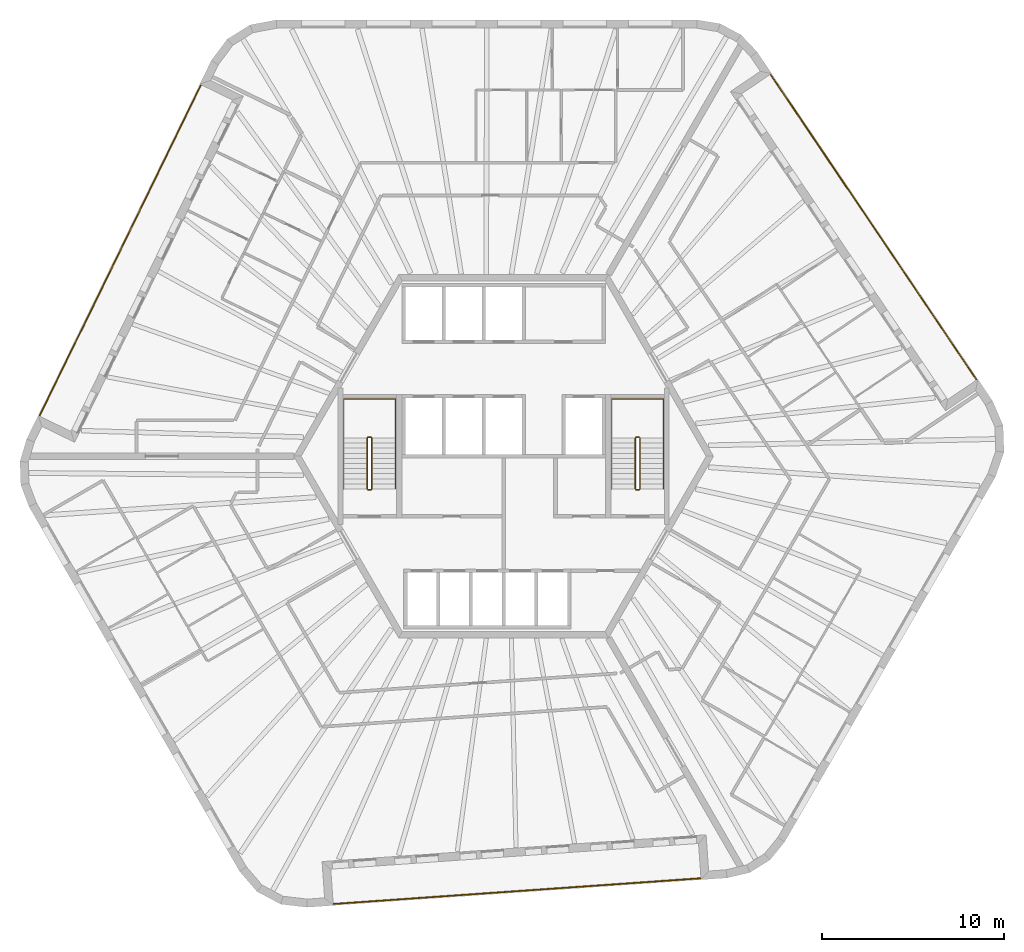
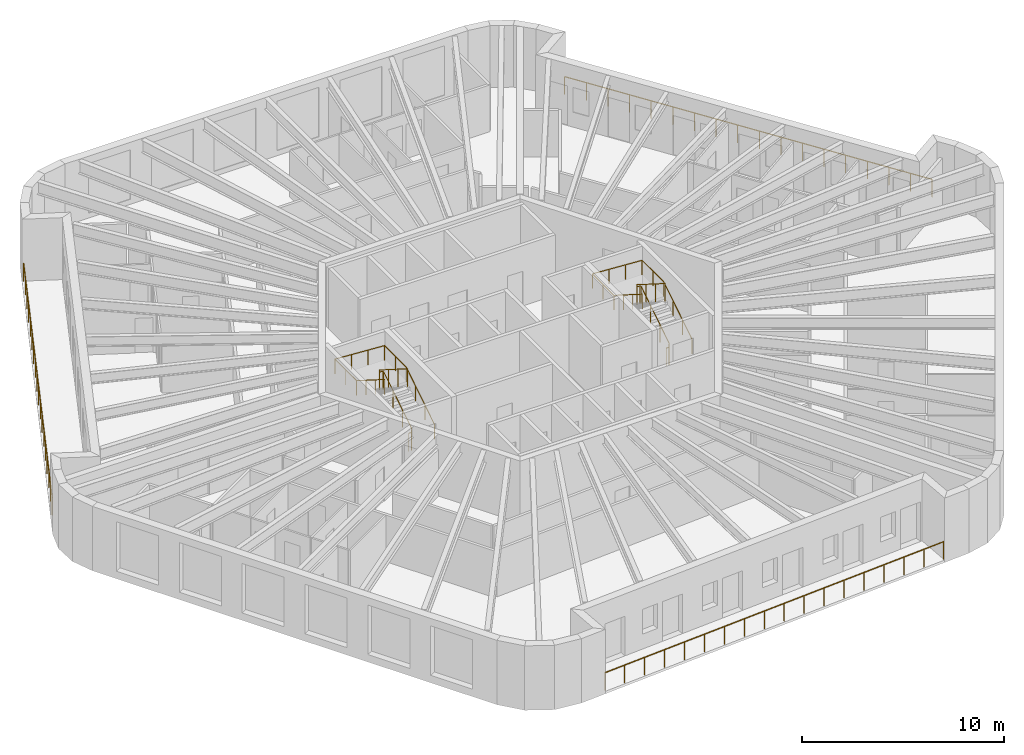
# One storey, part 11 of 11: 7 railings.
"""IFC4 building model written with IfcOpenShell, lengths in metres."""

from ifc_helpers import new_model, si_unit, direction, frame, origin, origin_2d, place, context, subcontext, project, spatial, circle, extrude, material, type_object, element, save


model = new_model("IFC4")

# Units and contexts
model_context = context("Model", 3, precision=1e-05, world=origin(), true_north=direction((0.0, 1.0)))
body_context = subcontext(model_context, "Body", "Model", "MODEL_VIEW")
ifc_project = project(units=[si_unit("LENGTHUNIT", "METRE"), si_unit("AREAUNIT", "SQUARE_METRE"), si_unit("VOLUMEUNIT", "CUBIC_METRE"), si_unit("PLANEANGLEUNIT", "RADIAN"), si_unit("MASSUNIT", "GRAM", prefix="KILO")], contexts=[model_context])

# Site, building, storey
site_placement = place(None, origin())
site = spatial("IfcSite", under=ifc_project, at=site_placement, CompositionType="ELEMENT")
building_placement = place(site_placement, origin())
building = spatial("IfcBuilding", under=site, at=building_placement, Name="Tarnside Tower", CompositionType="ELEMENT")
storey_placement = place(building_placement, frame((0.0, 0.0, 353.39990234375)))
storey = spatial("IfcBuildingStorey", under=building, at=storey_placement, Name="L85", CompositionType="ELEMENT", Elevation=353.39990234375)

# Railings
ifc_material_1 = material(Name="Toughened glass", Category="glass")
railing_type_1 = type_object("IfcRailingType", Name="Glass guard 1100", PredefinedType="GUARDRAIL", material=ifc_material_1)
railing_1_placement = place(storey_placement, frame((-16.645263671875, 20.437744140625, 0.0)))
element("IfcRailing", 1, at=railing_1_placement, inside=storey, type_object=railing_type_1, Name="Loggia guard L85 F2", PredefinedType="GUARDRAIL", context=body_context, shape_type="SweptSolid", body=[
    extrude(circle(Radius=0.030029296875, at=origin_2d()), frame((0.0, 0.0, 1.070068359375), z_axis=(-0.438370743641, -0.898794242928, 0.0), x_axis=(0.898794242928, -0.438370743641, 0.0)), (0.0, 0.0, 1.0), 20.28173828125),
    extrude(circle(Radius=0.02490234375, at=origin_2d()), origin(), (0.0, 0.0, 1.0), 1.0400390625),
    extrude(circle(Radius=0.02490234375, at=origin_2d()), frame((-0.52294921875, -1.072265625, 0.0)), (0.0, 0.0, 1.0), 1.0400390625),
    extrude(circle(Radius=0.02490234375, at=origin_2d()), frame((-1.0458984375, -2.14453125, 0.0)), (0.0, 0.0, 1.0), 1.0400390625),
    extrude(circle(Radius=0.02490234375, at=origin_2d()), frame((-1.569091796875, -3.216796875, 0.0)), (0.0, 0.0, 1.0), 1.0400390625),
    extrude(circle(Radius=0.02490234375, at=origin_2d()), frame((-2.092041015625, -4.2890625, 0.0)), (0.0, 0.0, 1.0), 1.0400390625),
    extrude(circle(Radius=0.02490234375, at=origin_2d()), frame((-2.614990234375, -5.361572265625, 0.0)), (0.0, 0.0, 1.0), 1.0400390625),
    extrude(circle(Radius=0.02490234375, at=origin_2d()), frame((-3.137939453125, -6.433837890625, 0.0)), (0.0, 0.0, 1.0), 1.0400390625),
    extrude(circle(Radius=0.02490234375, at=origin_2d()), frame((-3.660888671875, -7.506103515625, 0.0)), (0.0, 0.0, 1.0), 1.0400390625),
    extrude(circle(Radius=0.02490234375, at=origin_2d()), frame((-4.183837890625, -8.578369140625, 0.0)), (0.0, 0.0, 1.0), 1.0400390625),
    extrude(circle(Radius=0.02490234375, at=origin_2d()), frame((-4.70703125, -9.650634765625, 0.0)), (0.0, 0.0, 1.0), 1.0400390625),
    extrude(circle(Radius=0.02490234375, at=origin_2d()), frame((-5.22998046875, -10.722900390625, 0.0)), (0.0, 0.0, 1.0), 1.0400390625),
    extrude(circle(Radius=0.02490234375, at=origin_2d()), frame((-5.7529296875, -11.795166015625, 0.0)), (0.0, 0.0, 1.0), 1.0400390625),
    extrude(circle(Radius=0.02490234375, at=origin_2d()), frame((-6.27587890625, -12.867431640625, 0.0)), (0.0, 0.0, 1.0), 1.0400390625),
    extrude(circle(Radius=0.02490234375, at=origin_2d()), frame((-6.798828125, -13.93994140625, 0.0)), (0.0, 0.0, 1.0), 1.0400390625),
    extrude(circle(Radius=0.02490234375, at=origin_2d()), frame((-7.32177734375, -15.01220703125, 0.0)), (0.0, 0.0, 1.0), 1.0400390625),
    extrude(circle(Radius=0.02490234375, at=origin_2d()), frame((-7.844970703125, -16.08447265625, 0.0)), (0.0, 0.0, 1.0), 1.0400390625),
    extrude(circle(Radius=0.02490234375, at=origin_2d()), frame((-8.367919921875, -17.15673828125, 0.0)), (0.0, 0.0, 1.0), 1.0400390625),
    extrude(circle(Radius=0.02490234375, at=origin_2d()), frame((-8.890869140625, -18.22900390625, 0.0)), (0.0, 0.0, 1.0), 1.0400390625),
])
railing_2_placement = place(storey_placement, frame((-9.376953125, -24.634033203125, 0.0)))
element("IfcRailing", 2, at=railing_2_placement, inside=storey, type_object=railing_type_1, Name="Loggia guard L85 F4", PredefinedType="GUARDRAIL", context=body_context, shape_type="SweptSolid", body=[
    extrude(circle(Radius=0.030029296875, at=origin_2d()), frame((0.0, 0.0, 1.070068359375), z_axis=(0.997563970542, 0.069757613753, 0.0), x_axis=(-0.069757613753, 0.997563970542, 0.0)), (0.0, 0.0, 1.0), 20.281494140625),
    extrude(circle(Radius=0.02490234375, at=origin_2d()), origin(), (0.0, 0.0, 1.0), 1.0400390625),
    extrude(circle(Radius=0.02490234375, at=origin_2d()), frame((1.190185546875, 0.083251953125, 0.0)), (0.0, 0.0, 1.0), 1.0400390625),
    extrude(circle(Radius=0.02490234375, at=origin_2d()), frame((2.38037109375, 0.16650390625, 0.0)), (0.0, 0.0, 1.0), 1.0400390625),
    extrude(circle(Radius=0.02490234375, at=origin_2d()), frame((3.5703125, 0.249755859375, 0.0)), (0.0, 0.0, 1.0), 1.0400390625),
    extrude(circle(Radius=0.02490234375, at=origin_2d()), frame((4.760498046875, 0.3330078125, 0.0)), (0.0, 0.0, 1.0), 1.0400390625),
    extrude(circle(Radius=0.02490234375, at=origin_2d()), frame((5.95068359375, 0.416015625, 0.0)), (0.0, 0.0, 1.0), 1.0400390625),
    extrude(circle(Radius=0.02490234375, at=origin_2d()), frame((7.140869140625, 0.499267578125, 0.0)), (0.0, 0.0, 1.0), 1.0400390625),
    extrude(circle(Radius=0.02490234375, at=origin_2d()), frame((8.330810546875, 0.58251953125, 0.0)), (0.0, 0.0, 1.0), 1.0400390625),
    extrude(circle(Radius=0.02490234375, at=origin_2d()), frame((9.52099609375, 0.665771484375, 0.0)), (0.0, 0.0, 1.0), 1.0400390625),
    extrude(circle(Radius=0.02490234375, at=origin_2d()), frame((10.711181640625, 0.7490234375, 0.0)), (0.0, 0.0, 1.0), 1.0400390625),
    extrude(circle(Radius=0.02490234375, at=origin_2d()), frame((11.9013671875, 0.832275390625, 0.0)), (0.0, 0.0, 1.0), 1.0400390625),
    extrude(circle(Radius=0.02490234375, at=origin_2d()), frame((13.09130859375, 0.91552734375, 0.0)), (0.0, 0.0, 1.0), 1.0400390625),
    extrude(circle(Radius=0.02490234375, at=origin_2d()), frame((14.281494140625, 0.998779296875, 0.0)), (0.0, 0.0, 1.0), 1.0400390625),
    extrude(circle(Radius=0.02490234375, at=origin_2d()), frame((15.4716796875, 1.081787109375, 0.0)), (0.0, 0.0, 1.0), 1.0400390625),
    extrude(circle(Radius=0.02490234375, at=origin_2d()), frame((16.661865234375, 1.1650390625, 0.0)), (0.0, 0.0, 1.0), 1.0400390625),
    extrude(circle(Radius=0.02490234375, at=origin_2d()), frame((17.851806640625, 1.248291015625, 0.0)), (0.0, 0.0, 1.0), 1.0400390625),
    extrude(circle(Radius=0.02490234375, at=origin_2d()), frame((19.0419921875, 1.33154296875, 0.0)), (0.0, 0.0, 1.0), 1.0400390625),
    extrude(circle(Radius=0.02490234375, at=origin_2d()), frame((20.232177734375, 1.414794921875, 0.0)), (0.0, 0.0, 1.0), 1.0400390625),
])
railing_3_placement = place(storey_placement, frame((26.022216796875, 4.196533203125, 0.0)))
element("IfcRailing", 3, at=railing_3_placement, inside=storey, type_object=railing_type_1, Name="Loggia guard L85 F6", PredefinedType="GUARDRAIL", context=body_context, shape_type="SweptSolid", body=[
    extrude(circle(Radius=0.030029296875, at=origin_2d()), frame((0.0, 0.0, 1.070068359375), z_axis=(-0.559192274164, 0.829037997028, 0.0), x_axis=(-0.829037997028, -0.559192274164, 0.0)), (0.0, 0.0, 1.0), 20.281494140625),
    extrude(circle(Radius=0.02490234375, at=origin_2d()), origin(), (0.0, 0.0, 1.0), 1.0400390625),
    extrude(circle(Radius=0.02490234375, at=origin_2d()), frame((-0.667236328125, 0.989013671875, 0.0)), (0.0, 0.0, 1.0), 1.0400390625),
    extrude(circle(Radius=0.02490234375, at=origin_2d()), frame((-1.334228515625, 1.97802734375, 0.0)), (0.0, 0.0, 1.0), 1.0400390625),
    extrude(circle(Radius=0.02490234375, at=origin_2d()), frame((-2.00146484375, 2.96728515625, 0.0)), (0.0, 0.0, 1.0), 1.0400390625),
    extrude(circle(Radius=0.02490234375, at=origin_2d()), frame((-2.66845703125, 3.956298828125, 0.0)), (0.0, 0.0, 1.0), 1.0400390625),
    extrude(circle(Radius=0.02490234375, at=origin_2d()), frame((-3.335693359375, 4.9453125, 0.0)), (0.0, 0.0, 1.0), 1.0400390625),
    extrude(circle(Radius=0.02490234375, at=origin_2d()), frame((-4.0029296875, 5.934326171875, 0.0)), (0.0, 0.0, 1.0), 1.0400390625),
    extrude(circle(Radius=0.02490234375, at=origin_2d()), frame((-4.669921875, 6.923583984375, 0.0)), (0.0, 0.0, 1.0), 1.0400390625),
    extrude(circle(Radius=0.02490234375, at=origin_2d()), frame((-5.337158203125, 7.91259765625, 0.0)), (0.0, 0.0, 1.0), 1.0400390625),
    extrude(circle(Radius=0.02490234375, at=origin_2d()), frame((-6.004150390625, 8.901611328125, 0.0)), (0.0, 0.0, 1.0), 1.0400390625),
    extrude(circle(Radius=0.02490234375, at=origin_2d()), frame((-6.67138671875, 9.890625, 0.0)), (0.0, 0.0, 1.0), 1.0400390625),
    extrude(circle(Radius=0.02490234375, at=origin_2d()), frame((-7.33837890625, 10.8798828125, 0.0)), (0.0, 0.0, 1.0), 1.0400390625),
    extrude(circle(Radius=0.02490234375, at=origin_2d()), frame((-8.005615234375, 11.868896484375, 0.0)), (0.0, 0.0, 1.0), 1.0400390625),
    extrude(circle(Radius=0.02490234375, at=origin_2d()), frame((-8.6728515625, 12.85791015625, 0.0)), (0.0, 0.0, 1.0), 1.0400390625),
    extrude(circle(Radius=0.02490234375, at=origin_2d()), frame((-9.33984375, 13.846923828125, 0.0)), (0.0, 0.0, 1.0), 1.0400390625),
    extrude(circle(Radius=0.02490234375, at=origin_2d()), frame((-10.007080078125, 14.836181640625, 0.0)), (0.0, 0.0, 1.0), 1.0400390625),
    extrude(circle(Radius=0.02490234375, at=origin_2d()), frame((-10.674072265625, 15.8251953125, 0.0)), (0.0, 0.0, 1.0), 1.0400390625),
    extrude(circle(Radius=0.02490234375, at=origin_2d()), frame((-11.34130859375, 16.814208984375, 0.0)), (0.0, 0.0, 1.0), 1.0400390625),
])
ifc_material_2 = material(Name="Stainless steel", Category="steel")
railing_type_2 = type_object("IfcRailingType", Name="Stair guard 1100", PredefinedType="GUARDRAIL", material=ifc_material_2)
railing_4_placement = place(storey_placement, frame((7.300048828125, -1.85009765625, 0.0)))
element("IfcRailing", 4, at=railing_4_placement, inside=storey, type_object=railing_type_2, Name="L85 ST1 stair guard 1", PredefinedType="GUARDRAIL", context=body_context, shape_type="SweptSolid", body=[
    extrude(circle(Radius=0.02392578125, at=origin_2d()), frame((0.0, 0.0, 1.076171875), z_axis=(1.0, 0.0, 0.0), x_axis=(0.0, 1.0, 0.0)), (0.0, 0.0, 1.0), 0.14990234375),
    extrude(circle(Radius=0.02392578125, at=origin_2d()), frame((0.14990234375, 0.0, 1.076171875), z_axis=(0.261922500866, 0.261922500866, 0.928866625022), x_axis=(-0.707106781187, 0.707106781187, 0.0)), (0.0, 0.0, 1.0), 0.191162109375),
    extrude(circle(Radius=0.02392578125, at=origin_2d()), frame((0.199951171875, 0.050048828125, 1.25341796875), z_axis=(0.0, 0.844908973607, 0.534910110503), x_axis=(-1.0, 0.0, 0.0)), (0.0, 0.0, 1.0), 3.31396484375),
    extrude(circle(Radius=0.02392578125, at=origin_2d()), frame((0.199951171875, 2.85009765625, 3.0263671875), z_axis=(-0.707106781187, 0.707106781187, 0.0), x_axis=(-0.707106781187, -0.707106781187, 0.0)), (0.0, 0.0, 1.0), 0.07080078125),
    extrude(circle(Radius=0.02392578125, at=origin_2d()), frame((0.14990234375, 2.900146484375, 3.0263671875), z_axis=(-1.0, 0.0, 0.0), x_axis=(0.0, -1.0, 0.0)), (0.0, 0.0, 1.0), 0.14990234375),
    extrude(circle(Radius=0.02392578125, at=origin_2d()), frame((0.0, 2.900146484375, 3.0263671875), z_axis=(-0.262233686654, -0.262233686654, 0.928691007369), x_axis=(0.707106781187, -0.707106781187, 0.0)), (0.0, 0.0, 1.0), 0.19091796875),
    extrude(circle(Radius=0.02392578125, at=origin_2d()), frame((-0.050048828125, 2.85009765625, 3.20361328125), z_axis=(0.0, -0.844908973607, 0.534910110503), x_axis=(1.0, 0.0, 0.0)), (0.0, 0.0, 1.0), 3.31396484375),
    extrude(circle(Radius=0.02099609375, at=origin_2d()), origin(), (0.0, 0.0, 1.0), 1.052001953125),
    extrude(circle(Radius=0.02099609375, at=origin_2d()), frame((0.14990234375, 0.0, 0.0)), (0.0, 0.0, 1.0), 1.052001953125),
    extrude(circle(Radius=0.02099609375, at=origin_2d()), frame((0.199951171875, 0.050048828125, 0.177490234375)), (0.0, 0.0, 1.0), 1.052001953125),
    extrude(circle(Radius=0.02099609375, at=origin_2d()), frame((0.199951171875, 0.9833984375, 0.768310546875)), (0.0, 0.0, 1.0), 1.052001953125),
    extrude(circle(Radius=0.02099609375, at=origin_2d()), frame((0.199951171875, 1.916748046875, 1.359375)), (0.0, 0.0, 1.0), 1.052001953125),
    extrude(circle(Radius=0.02099609375, at=origin_2d()), frame((0.199951171875, 2.85009765625, 1.9501953125)), (0.0, 0.0, 1.0), 1.052001953125),
    extrude(circle(Radius=0.02099609375, at=origin_2d()), frame((0.14990234375, 2.900146484375, 1.9501953125)), (0.0, 0.0, 1.0), 1.052001953125),
    extrude(circle(Radius=0.02099609375, at=origin_2d()), frame((0.0, 2.900146484375, 1.9501953125)), (0.0, 0.0, 1.0), 1.052001953125),
    extrude(circle(Radius=0.02099609375, at=origin_2d()), frame((-0.050048828125, 2.85009765625, 2.12744140625)), (0.0, 0.0, 1.0), 1.052001953125),
    extrude(circle(Radius=0.02099609375, at=origin_2d()), frame((-0.050048828125, 1.916748046875, 2.71826171875)), (0.0, 0.0, 1.0), 1.052001953125),
    extrude(circle(Radius=0.02099609375, at=origin_2d()), frame((-0.050048828125, 0.9833984375, 3.309326171875)), (0.0, 0.0, 1.0), 1.052001953125),
    extrude(circle(Radius=0.02099609375, at=origin_2d()), frame((-0.050048828125, 0.050048828125, 3.900146484375)), (0.0, 0.0, 1.0), 1.052001953125),
])
railing_5_placement = place(storey_placement, frame((-7.449951171875, -1.85009765625, 0.0)))
element("IfcRailing", 5, at=railing_5_placement, inside=storey, type_object=railing_type_2, Name="L85 ST2 stair guard 1", PredefinedType="GUARDRAIL", context=body_context, shape_type="SweptSolid", body=[
    extrude(circle(Radius=0.02392578125, at=origin_2d()), frame((0.0, 0.0, 1.076171875), z_axis=(1.0, 0.0, 0.0), x_axis=(0.0, 1.0, 0.0)), (0.0, 0.0, 1.0), 0.14990234375),
    extrude(circle(Radius=0.02392578125, at=origin_2d()), frame((0.14990234375, 0.0, 1.076171875), z_axis=(0.261922500866, 0.261922500866, 0.928866625022), x_axis=(-0.707106781187, 0.707106781187, 0.0)), (0.0, 0.0, 1.0), 0.191162109375),
    extrude(circle(Radius=0.02392578125, at=origin_2d()), frame((0.199951171875, 0.050048828125, 1.25341796875), z_axis=(0.0, 0.844908973607, 0.534910110503), x_axis=(-1.0, 0.0, 0.0)), (0.0, 0.0, 1.0), 3.31396484375),
    extrude(circle(Radius=0.02392578125, at=origin_2d()), frame((0.199951171875, 2.85009765625, 3.0263671875), z_axis=(-0.707106781187, 0.707106781187, 0.0), x_axis=(-0.707106781187, -0.707106781187, 0.0)), (0.0, 0.0, 1.0), 0.07080078125),
    extrude(circle(Radius=0.02392578125, at=origin_2d()), frame((0.14990234375, 2.900146484375, 3.0263671875), z_axis=(-1.0, 0.0, 0.0), x_axis=(0.0, -1.0, 0.0)), (0.0, 0.0, 1.0), 0.14990234375),
    extrude(circle(Radius=0.02392578125, at=origin_2d()), frame((0.0, 2.900146484375, 3.0263671875), z_axis=(-0.262233686654, -0.262233686654, 0.928691007369), x_axis=(0.707106781187, -0.707106781187, 0.0)), (0.0, 0.0, 1.0), 0.19091796875),
    extrude(circle(Radius=0.02392578125, at=origin_2d()), frame((-0.050048828125, 2.85009765625, 3.20361328125), z_axis=(0.0, -0.844908973607, 0.534910110503), x_axis=(1.0, 0.0, 0.0)), (0.0, 0.0, 1.0), 3.31396484375),
    extrude(circle(Radius=0.02099609375, at=origin_2d()), origin(), (0.0, 0.0, 1.0), 1.052001953125),
    extrude(circle(Radius=0.02099609375, at=origin_2d()), frame((0.14990234375, 0.0, 0.0)), (0.0, 0.0, 1.0), 1.052001953125),
    extrude(circle(Radius=0.02099609375, at=origin_2d()), frame((0.199951171875, 0.050048828125, 0.177490234375)), (0.0, 0.0, 1.0), 1.052001953125),
    extrude(circle(Radius=0.02099609375, at=origin_2d()), frame((0.199951171875, 0.9833984375, 0.768310546875)), (0.0, 0.0, 1.0), 1.052001953125),
    extrude(circle(Radius=0.02099609375, at=origin_2d()), frame((0.199951171875, 1.916748046875, 1.359375)), (0.0, 0.0, 1.0), 1.052001953125),
    extrude(circle(Radius=0.02099609375, at=origin_2d()), frame((0.199951171875, 2.85009765625, 1.9501953125)), (0.0, 0.0, 1.0), 1.052001953125),
    extrude(circle(Radius=0.02099609375, at=origin_2d()), frame((0.14990234375, 2.900146484375, 1.9501953125)), (0.0, 0.0, 1.0), 1.052001953125),
    extrude(circle(Radius=0.02099609375, at=origin_2d()), frame((0.0, 2.900146484375, 1.9501953125)), (0.0, 0.0, 1.0), 1.052001953125),
    extrude(circle(Radius=0.02099609375, at=origin_2d()), frame((-0.050048828125, 2.85009765625, 2.12744140625)), (0.0, 0.0, 1.0), 1.052001953125),
    extrude(circle(Radius=0.02099609375, at=origin_2d()), frame((-0.050048828125, 1.916748046875, 2.71826171875)), (0.0, 0.0, 1.0), 1.052001953125),
    extrude(circle(Radius=0.02099609375, at=origin_2d()), frame((-0.050048828125, 0.9833984375, 3.309326171875)), (0.0, 0.0, 1.0), 1.052001953125),
    extrude(circle(Radius=0.02099609375, at=origin_2d()), frame((-0.050048828125, 0.050048828125, 3.900146484375)), (0.0, 0.0, 1.0), 1.052001953125),
])
railing_type_3 = type_object("IfcRailingType", Name="Stair handrail 900", PredefinedType="HANDRAIL", material=ifc_material_2)
railing_6_placement = place(storey_placement, frame((8.800048828125, -1.800048828125, 0.177490234375)))
element("IfcRailing", 6, at=railing_6_placement, inside=storey, type_object=railing_type_3, Name="L85 ST1 stair handrail 1", PredefinedType="HANDRAIL", context=body_context, shape_type="SweptSolid", body=[
    extrude(circle(Radius=0.02392578125, at=origin_2d()), frame((0.0, 0.0, 0.8857421875), z_axis=(0.0, 0.844908973607, 0.534910110503), x_axis=(-1.0, 0.0, 0.0)), (0.0, 0.0, 1.0), 3.31396484375),
    extrude(circle(Radius=0.02392578125, at=origin_2d()), frame((0.0, 2.800048828125, 2.65869140625), z_axis=(0.0, 1.0, 0.0), x_axis=(-1.0, 0.0, 0.0)), (0.0, 0.0, 1.0), 2.14990234375),
    extrude(circle(Radius=0.02392578125, at=origin_2d()), frame((0.0, 4.949951171875, 2.65869140625), z_axis=(-0.998071825391, 0.0, 0.06206956872), x_axis=(0.0, -1.0, 0.0)), (0.0, 0.0, 1.0), 2.855712890625),
    extrude(circle(Radius=0.02392578125, at=origin_2d()), frame((-2.85009765625, 4.949951171875, 2.8359375), z_axis=(0.0, -1.0, 0.0), x_axis=(1.0, 0.0, 0.0)), (0.0, 0.0, 1.0), 2.14990234375),
    extrude(circle(Radius=0.02392578125, at=origin_2d()), frame((-2.85009765625, 2.800048828125, 2.8359375), z_axis=(0.0, -0.844908973607, 0.534910110503), x_axis=(1.0, 0.0, 0.0)), (0.0, 0.0, 1.0), 3.31396484375),
    extrude(circle(Radius=0.02099609375, at=origin_2d()), origin(), (0.0, 0.0, 1.0), 0.86181640625),
    extrude(circle(Radius=0.02099609375, at=origin_2d()), frame((0.0, 0.933349609375, 0.5908203125)), (0.0, 0.0, 1.0), 0.86181640625),
    extrude(circle(Radius=0.02099609375, at=origin_2d()), frame((0.0, 1.86669921875, 1.181884765625)), (0.0, 0.0, 1.0), 0.86181640625),
    extrude(circle(Radius=0.02099609375, at=origin_2d()), frame((0.0, 2.800048828125, 1.772705078125)), (0.0, 0.0, 1.0), 0.86181640625),
    extrude(circle(Radius=0.02099609375, at=origin_2d()), frame((0.0, 3.875, 1.772705078125)), (0.0, 0.0, 1.0), 0.86181640625),
    extrude(circle(Radius=0.02099609375, at=origin_2d()), frame((0.0, 4.949951171875, 1.772705078125)), (0.0, 0.0, 1.0), 0.86181640625),
    extrude(circle(Radius=0.02099609375, at=origin_2d()), frame((-0.949951171875, 4.949951171875, 1.831787109375)), (0.0, 0.0, 1.0), 0.86181640625),
    extrude(circle(Radius=0.02099609375, at=origin_2d()), frame((-1.900146484375, 4.949951171875, 1.890869140625)), (0.0, 0.0, 1.0), 0.86181640625),
    extrude(circle(Radius=0.02099609375, at=origin_2d()), frame((-2.85009765625, 4.949951171875, 1.949951171875)), (0.0, 0.0, 1.0), 0.86181640625),
    extrude(circle(Radius=0.02099609375, at=origin_2d()), frame((-2.85009765625, 3.875, 1.949951171875)), (0.0, 0.0, 1.0), 0.86181640625),
    extrude(circle(Radius=0.02099609375, at=origin_2d()), frame((-2.85009765625, 2.800048828125, 1.949951171875)), (0.0, 0.0, 1.0), 0.86181640625),
    extrude(circle(Radius=0.02099609375, at=origin_2d()), frame((-2.85009765625, 1.86669921875, 2.540771484375)), (0.0, 0.0, 1.0), 0.86181640625),
    extrude(circle(Radius=0.02099609375, at=origin_2d()), frame((-2.85009765625, 0.933349609375, 3.1318359375)), (0.0, 0.0, 1.0), 0.86181640625),
    extrude(circle(Radius=0.02099609375, at=origin_2d()), frame((-2.85009765625, 0.0, 3.72265625)), (0.0, 0.0, 1.0), 0.86181640625),
])
railing_7_placement = place(storey_placement, frame((-5.949951171875, -1.800048828125, 0.177490234375)))
element("IfcRailing", 7, at=railing_7_placement, inside=storey, type_object=railing_type_3, Name="L85 ST2 stair handrail 1", PredefinedType="HANDRAIL", context=body_context, shape_type="SweptSolid", body=[
    extrude(circle(Radius=0.02392578125, at=origin_2d()), frame((0.0, 0.0, 0.8857421875), z_axis=(0.0, 0.844908973607, 0.534910110503), x_axis=(-1.0, 0.0, 0.0)), (0.0, 0.0, 1.0), 3.31396484375),
    extrude(circle(Radius=0.02392578125, at=origin_2d()), frame((0.0, 2.800048828125, 2.65869140625), z_axis=(0.0, 1.0, 0.0), x_axis=(-1.0, 0.0, 0.0)), (0.0, 0.0, 1.0), 2.14990234375),
    extrude(circle(Radius=0.02392578125, at=origin_2d()), frame((0.0, 4.949951171875, 2.65869140625), z_axis=(-0.998071825391, 0.0, 0.06206956872), x_axis=(0.0, -1.0, 0.0)), (0.0, 0.0, 1.0), 2.855712890625),
    extrude(circle(Radius=0.02392578125, at=origin_2d()), frame((-2.85009765625, 4.949951171875, 2.8359375), z_axis=(0.0, -1.0, 0.0), x_axis=(1.0, 0.0, 0.0)), (0.0, 0.0, 1.0), 2.14990234375),
    extrude(circle(Radius=0.02392578125, at=origin_2d()), frame((-2.85009765625, 2.800048828125, 2.8359375), z_axis=(0.0, -0.844908973607, 0.534910110503), x_axis=(1.0, 0.0, 0.0)), (0.0, 0.0, 1.0), 3.31396484375),
    extrude(circle(Radius=0.02099609375, at=origin_2d()), origin(), (0.0, 0.0, 1.0), 0.86181640625),
    extrude(circle(Radius=0.02099609375, at=origin_2d()), frame((0.0, 0.933349609375, 0.5908203125)), (0.0, 0.0, 1.0), 0.86181640625),
    extrude(circle(Radius=0.02099609375, at=origin_2d()), frame((0.0, 1.86669921875, 1.181884765625)), (0.0, 0.0, 1.0), 0.86181640625),
    extrude(circle(Radius=0.02099609375, at=origin_2d()), frame((0.0, 2.800048828125, 1.772705078125)), (0.0, 0.0, 1.0), 0.86181640625),
    extrude(circle(Radius=0.02099609375, at=origin_2d()), frame((0.0, 3.875, 1.772705078125)), (0.0, 0.0, 1.0), 0.86181640625),
    extrude(circle(Radius=0.02099609375, at=origin_2d()), frame((0.0, 4.949951171875, 1.772705078125)), (0.0, 0.0, 1.0), 0.86181640625),
    extrude(circle(Radius=0.02099609375, at=origin_2d()), frame((-0.949951171875, 4.949951171875, 1.831787109375)), (0.0, 0.0, 1.0), 0.86181640625),
    extrude(circle(Radius=0.02099609375, at=origin_2d()), frame((-1.900146484375, 4.949951171875, 1.890869140625)), (0.0, 0.0, 1.0), 0.86181640625),
    extrude(circle(Radius=0.02099609375, at=origin_2d()), frame((-2.85009765625, 4.949951171875, 1.949951171875)), (0.0, 0.0, 1.0), 0.86181640625),
    extrude(circle(Radius=0.02099609375, at=origin_2d()), frame((-2.85009765625, 3.875, 1.949951171875)), (0.0, 0.0, 1.0), 0.86181640625),
    extrude(circle(Radius=0.02099609375, at=origin_2d()), frame((-2.85009765625, 2.800048828125, 1.949951171875)), (0.0, 0.0, 1.0), 0.86181640625),
    extrude(circle(Radius=0.02099609375, at=origin_2d()), frame((-2.85009765625, 1.86669921875, 2.540771484375)), (0.0, 0.0, 1.0), 0.86181640625),
    extrude(circle(Radius=0.02099609375, at=origin_2d()), frame((-2.85009765625, 0.933349609375, 3.1318359375)), (0.0, 0.0, 1.0), 0.86181640625),
    extrude(circle(Radius=0.02099609375, at=origin_2d()), frame((-2.85009765625, 0.0, 3.72265625)), (0.0, 0.0, 1.0), 0.86181640625),
])

save(model, "model.ifc")
